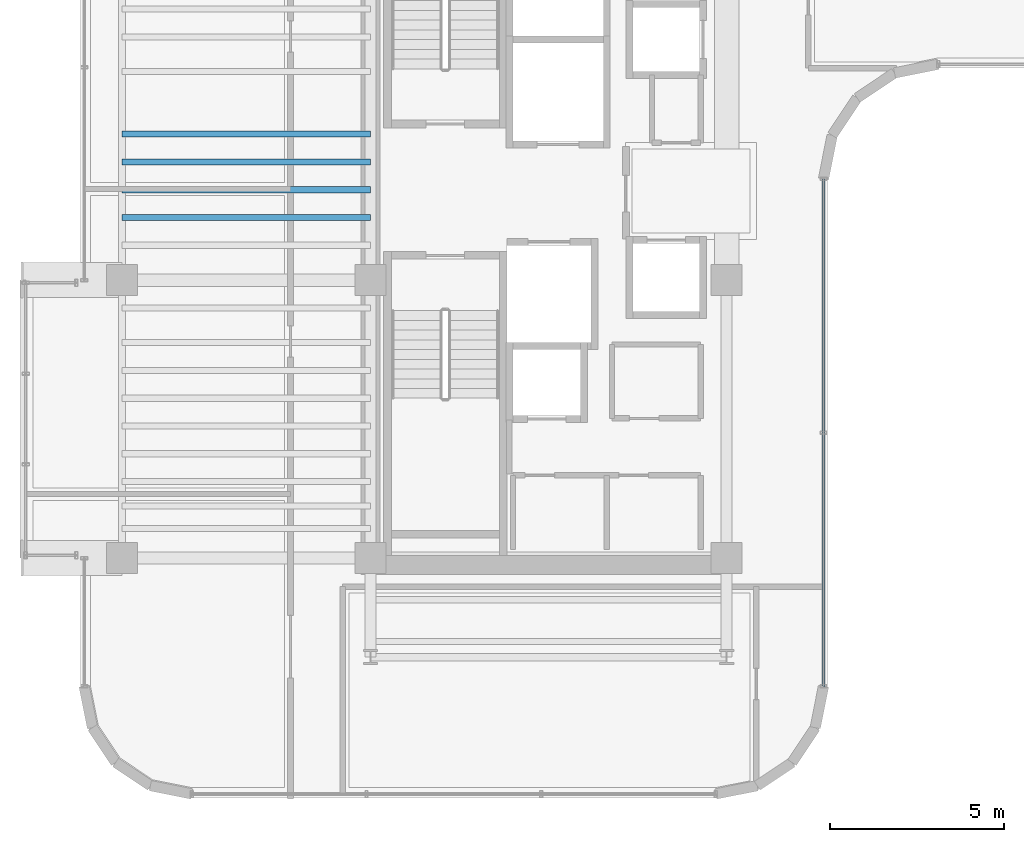
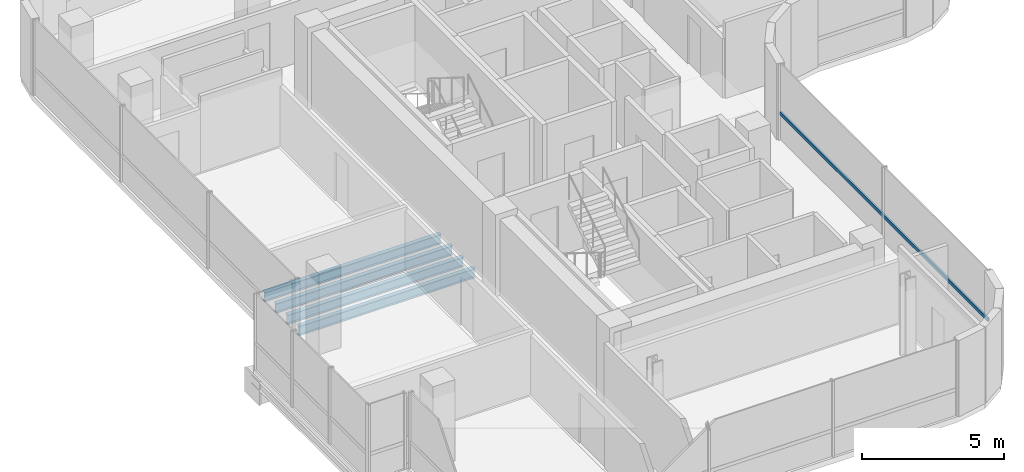
# One storey, part 6 of 22: 4 beams, 1 member, 1 element without a shape of its own.
"""IFC4 building model written with IfcOpenShell, lengths in metres."""

from ifc_helpers import new_model, si_unit, direction, frame, origin, origin_2d, place, context, subcontext, project, spatial, hollow_rectangle, i_section, extrude, source, transform, mapped, material, material_profile, profile_set, type_object, element, aggregate, save


model = new_model("IFC4")

# Units and contexts
model_context = context("Model", 3, precision=1e-05, world=origin(), true_north=direction((0.0, 1.0)))
body_context = subcontext(model_context, "Body", "Model", "MODEL_VIEW")
ifc_project = project(units=[si_unit("LENGTHUNIT", "METRE"), si_unit("AREAUNIT", "SQUARE_METRE"), si_unit("VOLUMEUNIT", "CUBIC_METRE"), si_unit("PLANEANGLEUNIT", "RADIAN"), si_unit("MASSUNIT", "GRAM", prefix="KILO")], contexts=[model_context])

# Site, building, storey
site_placement = place(None, origin())
site = spatial("IfcSite", under=ifc_project, at=site_placement, CompositionType="ELEMENT")
building_placement = place(site_placement, origin())
building = spatial("IfcBuilding", under=site, at=building_placement, Name="Valdorenza Pilgrim Sanctuary Tower", CompositionType="ELEMENT")
storey_placement = place(building_placement, frame((0.0, 0.0, 237.0)))
storey = spatial("IfcBuildingStorey", under=building, at=storey_placement, Name="L61", CompositionType="ELEMENT", Elevation=237.0)

# Beams
ifc_material_1 = material(Name="Steel ASTM A992 Grade 50", Category="steel")
ifc_material_profile_1 = material_profile(ifc_material_1, i_section(OverallWidth=0.177978515625, OverallDepth=0.406005859375, WebThickness=0.0078125, FlangeThickness=0.0126953125, at=origin_2d()), Name="W16X40")
ifc_profile_set_1 = profile_set([ifc_material_profile_1], Name="Steel ASTM A992 Grade 50")
beam_type = type_object("IfcBeamType", Name="STR-BM-JST-W16", PredefinedType="JOIST", material=ifc_profile_set_1)
shared_shape_1 = source(origin(), body_context, "Body", "SweptSolid", [
    extrude(i_section(OverallWidth=0.177978515625, OverallDepth=0.406005859375, WebThickness=0.0078125, FlangeThickness=0.0126953125, at=origin_2d()), origin(), (0.0, 0.0, 1.0), 7.150146484375),
])
for number, where, z_axis, x_axis, name in (
    (1, (-29.800048828125, -0.800048828125, -0.443115234375), (1.0, 0.0, 0.0), (0.0, 1.0, 0.0), "L61 Composite Floor Joist JST-WA-11"),
    (2, (-29.800048828125, 0.0, -0.443115234375), (1.0, 0.0, 0.0), (0.0, 1.0, 0.0), "L61 Composite Floor Joist JST-WA-12"),
    (3, (-29.800048828125, 0.800048828125, -0.443115234375), (1.0, 0.0, 0.0), (0.0, 1.0, 0.0), "L61 Composite Floor Joist JST-WA-13"),
    (4, (-29.800048828125, 1.60009765625, -0.443115234375), (1.0, 0.0, 0.0), (0.0, 1.0, 0.0), "L61 Composite Floor Joist JST-WA-14"),
):
    element("IfcBeam", number, at=place(storey_placement, frame(where, z_axis=z_axis, x_axis=x_axis)), inside=storey, type_object=beam_type, Name=name, PredefinedType="JOIST", context=body_context, shape_type="MappedRepresentation", body=[
        mapped(shared_shape_1, transform((0.0, 0.0, 0.0), x_axis=(1.0, 0.0, 0.0), y_axis=(0.0, 1.0, 0.0), z_axis=(0.0, 0.0, 1.0), scale=1.0)),
    ])

# Curtain wall, member
ifc_material_2 = material(Name="Curtain-wall IGU glazing", Category="glass")
curtain_wall_type = type_object("IfcCurtainWallType", Name="CW-SYS-02", PredefinedType="NOTDEFINED", material=ifc_material_2)
curtain_wall_placement = place(storey_placement, origin())
curtain_wall = element("IfcCurtainWall", 5, at=curtain_wall_placement, inside=storey, type_object=curtain_wall_type, Name="L61 Curtain Wall CW-L61-1-21", PredefinedType="NOTDEFINED")
ifc_material_3 = material(Name="Anodised aluminium AW-6060", Category="aluminium")
ifc_material_profile_2 = material_profile(ifc_material_3, hollow_rectangle(XDim=0.074951171875, YDim=0.14990234375, WallThickness=0.00390625, at=origin_2d()), Name="ALU-T 150x75x4")
ifc_profile_set_2 = profile_set([ifc_material_profile_2], Name="Anodised aluminium AW-6060")
member_type = type_object("IfcMemberType", Name="CW-TRN-02", PredefinedType="USERDEFINED", material=ifc_profile_set_2)
shared_shape_2 = source(origin(), body_context, "Body", "SweptSolid", [
    extrude(hollow_rectangle(XDim=0.074951171875, YDim=0.14990234375, WallThickness=0.00390625, at=origin_2d()), origin(), (0.0, 0.0, 1.0), 14.60009765625),
])
member_placement = place(storey_placement, frame((-9.610107421875, 0.310791015625, 1.1201171875), z_axis=(0.0, -1.0, 0.0), x_axis=(1.0, 0.0, 0.0)))
member = element("IfcMember", 6, at=member_placement, type_object=member_type, Name="CW-L61-1-21 Transom 1", ObjectType="TRANSOM", PredefinedType="USERDEFINED", context=body_context, shape_type="MappedRepresentation", body=[
    mapped(shared_shape_2, transform((0.0, 0.0, 0.0), x_axis=(1.0, 0.0, 0.0), y_axis=(0.0, 1.0, 0.0), z_axis=(0.0, 0.0, 1.0), scale=1.0)),
])
aggregate(curtain_wall, [member])

save(model, "model.ifc")
